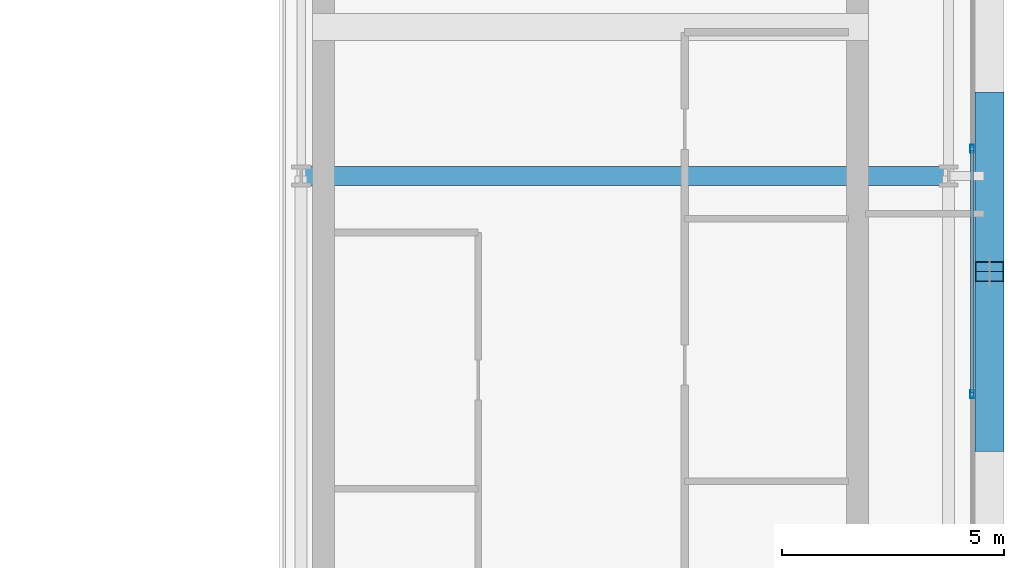
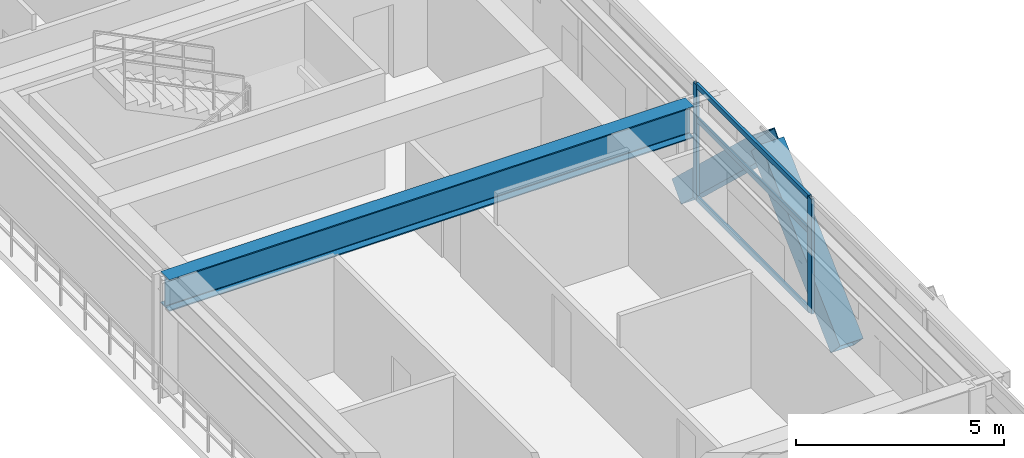
# One storey, part 13 of 31: 7 members, 1 beam, 1 element without a shape of its own.
"""IFC4 building model written with IfcOpenShell, lengths in metres."""

from ifc_helpers import new_model, si_unit, direction, frame, origin, origin_2d, place, context, subcontext, project, spatial, hollow_rectangle, i_section, extrude, source, transform, mapped, material, layer, layer_set, material_profile, profile_set, type_object, element, aggregate, save


model = new_model("IFC4")

# Units and contexts
model_context = context("Model", 3, precision=1e-05, world=origin(), true_north=direction((0.0, 1.0)))
body_context = subcontext(model_context, "Body", "Model", "MODEL_VIEW")
ifc_project = project(units=[si_unit("LENGTHUNIT", "METRE"), si_unit("AREAUNIT", "SQUARE_METRE"), si_unit("VOLUMEUNIT", "CUBIC_METRE"), si_unit("PLANEANGLEUNIT", "RADIAN"), si_unit("MASSUNIT", "GRAM", prefix="KILO")], contexts=[model_context])

# Site, building, storey
site_placement = place(None, origin())
site = spatial("IfcSite", under=ifc_project, at=site_placement, CompositionType="ELEMENT")
building_placement = place(site_placement, origin())
building = spatial("IfcBuilding", under=site, at=building_placement, Name="Ocotamira Hotel", CompositionType="ELEMENT")
storey_placement = place(building_placement, frame((0.0, 0.0, 188.39990234375)))
storey = spatial("IfcBuildingStorey", under=building, at=storey_placement, Name="L47", CompositionType="ELEMENT", Elevation=188.39990234375)

# Beam
ifc_material_1 = material(Name="Steel ASTM A992 Grade 50", Category="steel")
ifc_material_profile_1 = material_profile(ifc_material_1, i_section(OverallWidth=0.41796875, OverallDepth=0.927001953125, WebThickness=0.019287109375, FlangeThickness=0.031982421875, FilletRadius=0.02392578125, at=origin_2d()), Name="W36X231")
ifc_profile_set_1 = profile_set([ifc_material_profile_1], Name="Steel ASTM A992 Grade 50")
beam_type = type_object("IfcBeamType", Name="BM-GIRD-W36X231", PredefinedType="BEAM", material=ifc_profile_set_1)
shared_shape_1 = source(origin(), body_context, "Body", "SweptSolid", [
    extrude(i_section(OverallWidth=0.41796875, OverallDepth=0.927001953125, WebThickness=0.019287109375, FlangeThickness=0.031982421875, FilletRadius=0.02392578125, at=origin_2d()), origin(), (0.0, 0.0, 1.0), 14.550048828125),
])
beam_placement = place(storey_placement, frame((40.5, 28.14990234375, 2.906494140625), z_axis=(1.0, 0.0, 0.0), x_axis=(0.0, 1.0, 0.0)))
element("IfcBeam", 1, at=beam_placement, inside=storey, type_object=beam_type, Name="L47 Girder Y28.15 X40.5-55.05", PredefinedType="BEAM", context=body_context, shape_type="MappedRepresentation", body=[
    mapped(shared_shape_1, transform((0.0, 0.0, 0.0), scale=1.0)),
])

# Members
ifc_material_2 = material(Name="Pale-metal coated steel ASTM A913 Grade 65", Category="steel")
ifc_material_profile_2 = material_profile(ifc_material_2, hollow_rectangle(XDim=0.64990234375, YDim=0.64990234375, WallThickness=0.02197265625, at=origin_2d()), Name="BOX650X650X22")
ifc_profile_set_2 = profile_set([ifc_material_profile_2], Name="Pale-metal coated steel ASTM A913 Grade 65")
member_type_1 = type_object("IfcMemberType", Name="MEM-EXO-BOX650", PredefinedType="BRACE", material=ifc_profile_set_2)
shared_shape_2 = source(origin(), body_context, "Body", "SweptSolid", [
    extrude(hollow_rectangle(XDim=0.64990234375, YDim=0.64990234375, WallThickness=0.02197265625, at=origin_2d()), origin(), (0.0, 0.0, 1.0), 5.24658203125),
])
for number, where, z_axis, x_axis, name in (
    (2, (55.969970703125, 22.183349609375, -0.47998046875), (0.0, 0.727442733726, 0.686168397078), (-1.0, 0.0, 0.0), "L47 Exoskeleton Diagrid E1.1"),
    (3, (55.969970703125, 29.816650390625, -0.47998046875), (0.0, -0.727442733726, 0.686168397078), (1.0, 0.0, 0.0), "L47 Exoskeleton Diagrid E1.2"),
):
    element("IfcMember", number, at=place(storey_placement, frame(where, z_axis=z_axis, x_axis=x_axis)), inside=storey, type_object=member_type_1, Name=name, PredefinedType="BRACE", context=body_context, shape_type="MappedRepresentation", body=[
        mapped(shared_shape_2, transform((0.0, 0.0, 0.0), scale=1.0)),
    ])

# Curtain wall, members
ifc_material_3 = material(Name="Anodised pale-metal aluminium and solar glass", Category="aluminium")
ifc_layer = layer(ifc_material_3, 0.199951171875)
ifc_layer_set = layer_set([ifc_layer], Name="Anodised pale-metal aluminium and solar glass")
curtain_wall_type = type_object("IfcCurtainWallType", Name="CW-SYS4-Z3", PredefinedType="NOTDEFINED", material=ifc_layer_set)
curtain_wall_placement = place(storey_placement, origin())
curtain_wall = element("IfcCurtainWall", 4, at=curtain_wall_placement, inside=storey, type_object=curtain_wall_type, Name="L47 Curtain Wall CW-4 CW-L47-E", PredefinedType="NOTDEFINED")
ifc_material_4 = material(Name="Anodised pale-metal aluminium 6063-T6", Category="aluminium")
ifc_material_profile_3 = material_profile(ifc_material_4, hollow_rectangle(XDim=0.080078125, YDim=0.179931640625, WallThickness=0.006103515625, at=origin_2d()), Name="HSS180X80X6")
ifc_profile_set_3 = profile_set([ifc_material_profile_3], Name="Anodised pale-metal aluminium 6063-T6")
member_type_2 = type_object("IfcMemberType", Name="CWM-180X75", PredefinedType="MULLION", material=ifc_profile_set_3)
shared_shape_3 = source(origin(), body_context, "Body", "SweptSolid", [
    extrude(hollow_rectangle(XDim=0.080078125, YDim=0.179931640625, WallThickness=0.006103515625, at=origin_2d()), origin(), (0.0, 0.0, 1.0), 3.3701171875),
])
member_1_placement = place(storey_placement, frame((55.580078125, 23.239990234375, 0.0), z_axis=(0.0, 0.0, 1.0), x_axis=(-1.0, 0.0, 0.0)))
member_1 = element("IfcMember", 5, at=member_1_placement, type_object=member_type_2, Name="CW-4 mullion 3", PredefinedType="MULLION", context=body_context, shape_type="MappedRepresentation", body=[
    mapped(shared_shape_3, transform((0.0, 0.0, 0.0), scale=1.0)),
])
member_2_placement = place(storey_placement, frame((55.580078125, 28.760009765625, 0.0), z_axis=(0.0, 0.0, 1.0), x_axis=(-1.0, 0.0, 0.0)))
member_2 = element("IfcMember", 6, at=member_2_placement, type_object=member_type_2, Name="CW-4 mullion 4", PredefinedType="MULLION", context=body_context, shape_type="MappedRepresentation", body=[
    mapped(shared_shape_3, transform((0.0, 0.0, 0.0), scale=1.0)),
])
ifc_material_profile_4 = material_profile(ifc_material_4, hollow_rectangle(XDim=0.074951171875, YDim=0.14990234375, WallThickness=0.006103515625, at=origin_2d()), Name="HSS150X75X6")
ifc_profile_set_4 = profile_set([ifc_material_profile_4], Name="Anodised pale-metal aluminium 6063-T6")
member_type_3 = type_object("IfcMemberType", Name="CWT-150X75", PredefinedType="USERDEFINED", material=ifc_profile_set_4)
shared_shape_4 = source(origin(), body_context, "Body", "SweptSolid", [
    extrude(hollow_rectangle(XDim=0.074951171875, YDim=0.14990234375, WallThickness=0.006103515625, at=origin_2d()), origin(), (0.0, 0.0, 1.0), 5.43994140625),
])
member_3_placement = place(storey_placement, frame((55.580078125, 23.280029296875, 0.03759765625), z_axis=(0.0, 1.0, 0.0), x_axis=(-1.0, 0.0, 0.0)))
member_3 = element("IfcMember", 7, at=member_3_placement, type_object=member_type_3, Name="CW-4 transom 3.1", ObjectType="TRANSOM", PredefinedType="USERDEFINED", context=body_context, shape_type="MappedRepresentation", body=[
    mapped(shared_shape_4, transform((0.0, 0.0, 0.0), scale=1.0)),
])
member_4_placement = place(storey_placement, frame((55.580078125, 23.280029296875, 2.35009765625), z_axis=(0.0, 1.0, 0.0), x_axis=(-1.0, 0.0, 0.0)))
member_4 = element("IfcMember", 8, at=member_4_placement, type_object=member_type_3, Name="CW-4 transom 3.2", ObjectType="TRANSOM", PredefinedType="USERDEFINED", context=body_context, shape_type="MappedRepresentation", body=[
    mapped(shared_shape_4, transform((0.0, 0.0, 0.0), scale=1.0)),
])
member_5_placement = place(storey_placement, frame((55.580078125, 23.280029296875, 3.33251953125), z_axis=(0.0, 1.0, 0.0), x_axis=(-1.0, 0.0, 0.0)))
member_5 = element("IfcMember", 9, at=member_5_placement, type_object=member_type_3, Name="CW-4 transom 3.3", ObjectType="TRANSOM", PredefinedType="USERDEFINED", context=body_context, shape_type="MappedRepresentation", body=[
    mapped(shared_shape_4, transform((0.0, 0.0, 0.0), scale=1.0)),
])
aggregate(curtain_wall, [member_1, member_2, member_3, member_4, member_5])

save(model, "model.ifc")
